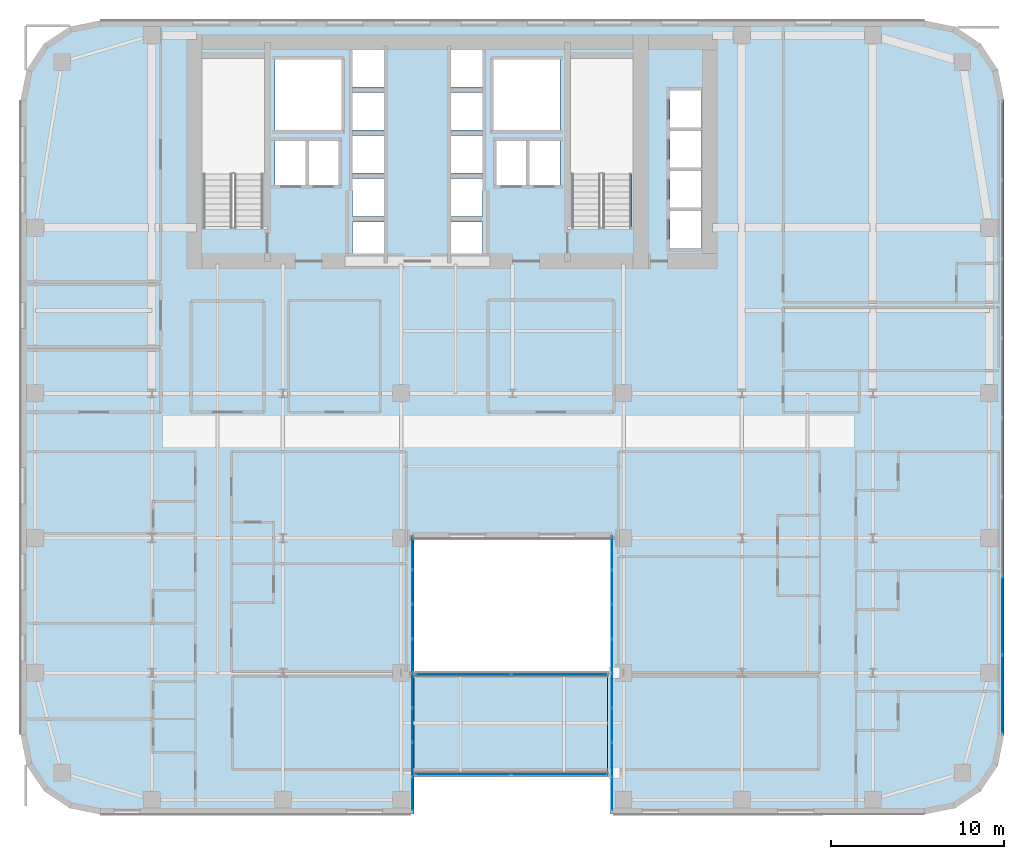
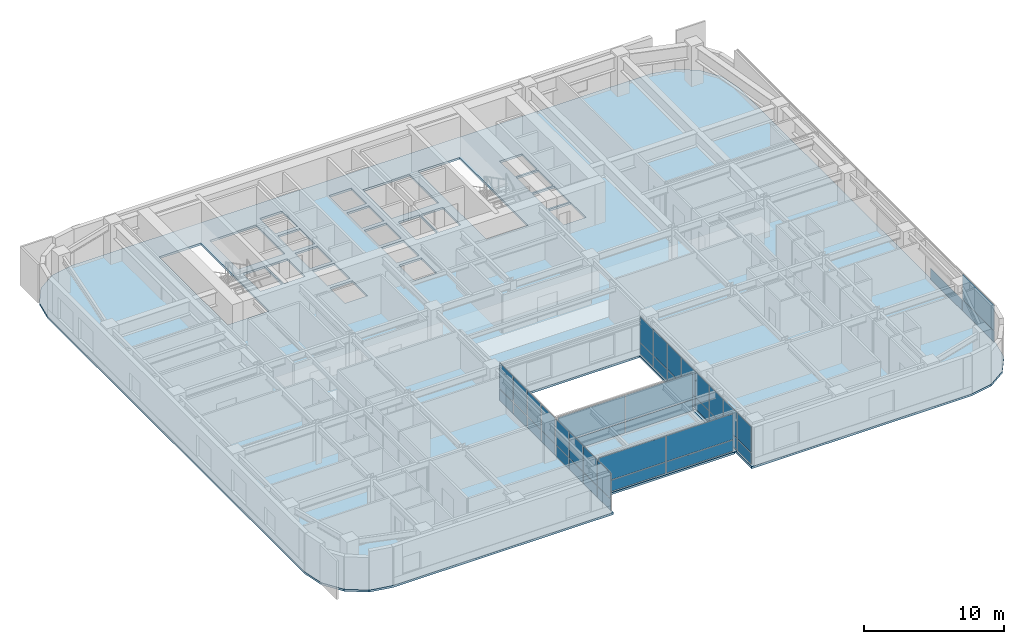
# One storey, part 18 of 31: 44 plates, 2 slabs, 5 elements without a shape of their own.
"""IFC4 building model written with IfcOpenShell, lengths in metres."""

from ifc_helpers import new_model, si_unit, direction, frame, origin, origin_2d, place, context, subcontext, project, spatial, polyline, rectangle, outline, extrude, source, transform, mapped, material, layer, layer_set, type_object, type_shapes, element, aggregate, save


model = new_model("IFC4")

# Units and contexts
model_context = context("Model", 3, precision=1e-05, world=origin(), true_north=direction((0.0, 1.0)))
body_context = subcontext(model_context, "Body", "Model", "MODEL_VIEW")
ifc_project = project(units=[si_unit("LENGTHUNIT", "METRE"), si_unit("AREAUNIT", "SQUARE_METRE"), si_unit("VOLUMEUNIT", "CUBIC_METRE"), si_unit("PLANEANGLEUNIT", "RADIAN"), si_unit("MASSUNIT", "GRAM", prefix="KILO")], contexts=[model_context])

# Site, building, storey
site_placement = place(None, origin())
site = spatial("IfcSite", under=ifc_project, at=site_placement, CompositionType="ELEMENT")
building_placement = place(site_placement, origin())
building = spatial("IfcBuilding", under=site, at=building_placement, Name="Tolvann Quenvar Hotel", CompositionType="ELEMENT")
storey_placement = place(building_placement, frame((0.0, 0.0, 74.60009765625)))
storey = spatial("IfcBuildingStorey", under=building, at=storey_placement, Name="L18", CompositionType="ELEMENT", Elevation=74.60009765625)

# Slabs
ifc_material_1 = material(Name="Concrete N40 (40 MPa)", Category="concrete")
ifc_layer_1 = layer(ifc_material_1, 0.179931640625)
ifc_layer_set_1 = layer_set([ifc_layer_1], Name="Concrete N40 (40 MPa)")
slab_type = type_object("IfcSlabType", Name="SLAB_TWR_180", PredefinedType="FLOOR", material=ifc_layer_set_1)
slab_1_placement = place(storey_placement, frame((0.0, 0.0, -0.18017578125)))
element("IfcSlab", 1, at=slab_1_placement, inside=storey, type_object=slab_type, Name="Level L18 Structural Floor Slab", PredefinedType="FLOOR", context=body_context, shape_type="SweptSolid", body=[
    extrude(outline(polyline([(0.0, 4.60009765625), (0.35009765625, 2.839599609375), (1.347412109375, 1.347412109375), (2.839599609375, 0.35009765625), (4.60009765625, 0.0), (22.800048828125, 0.0), (22.800048828125, 16.0), (34.199951171875, 16.0), (34.199951171875, 0.0), (52.39990234375, 0.0), (54.160400390625, 0.35009765625), (55.652587890625, 1.347412109375), (56.64990234375, 2.839599609375), (57.0, 4.60009765625), (57.0, 41.39990234375), (56.64990234375, 43.160400390625), (55.652587890625, 44.652587890625), (54.160400390625, 45.64990234375), (52.39990234375, 46.0), (4.60009765625, 46.0), (2.839599609375, 45.64990234375), (1.347412109375, 44.652587890625), (0.35009765625, 43.160400390625), (0.0, 41.39990234375), (0.0, 4.60009765625)]), holes=[polyline([(37.6298828125, 41.949951171875), (39.469970703125, 41.949951171875), (39.469970703125, 39.77001953125), (37.6298828125, 39.77001953125), (37.6298828125, 41.949951171875)]), polyline([(37.6298828125, 39.6298828125), (39.469970703125, 39.6298828125), (39.469970703125, 37.449951171875), (37.6298828125, 37.449951171875), (37.6298828125, 39.6298828125)]), polyline([(37.6298828125, 37.31005859375), (39.469970703125, 37.31005859375), (39.469970703125, 35.1298828125), (37.6298828125, 35.1298828125), (37.6298828125, 37.31005859375)]), polyline([(37.6298828125, 34.989990234375), (39.469970703125, 34.989990234375), (39.469970703125, 32.81005859375), (37.6298828125, 32.81005859375), (37.6298828125, 34.989990234375)]), polyline([(31.949951171875, 43.800048828125), (35.39990234375, 43.800048828125), (35.39990234375, 34.02490234375), (31.949951171875, 34.02490234375), (31.949951171875, 43.800048828125)]), polyline([(31.25, 39.02001953125), (31.25, 36.47998046875), (29.449951171875, 36.47998046875), (29.449951171875, 39.02001953125), (31.25, 39.02001953125)]), polyline([(31.25, 43.75), (31.25, 39.64990234375), (27.39990234375, 39.64990234375), (27.39990234375, 43.75), (31.25, 43.75)]), polyline([(27.574951171875, 39.02001953125), (29.324951171875, 39.02001953125), (29.324951171875, 36.47998046875), (27.574951171875, 36.47998046875), (27.574951171875, 39.02001953125)]), polyline([(26.77001953125, 36.840087890625), (26.77001953125, 34.659912109375), (24.929931640625, 34.659912109375), (24.929931640625, 36.840087890625), (26.77001953125, 36.840087890625)]), polyline([(26.77001953125, 44.340087890625), (26.77001953125, 42.159912109375), (24.929931640625, 42.159912109375), (24.929931640625, 44.340087890625), (26.77001953125, 44.340087890625)]), polyline([(26.77001953125, 41.840087890625), (26.77001953125, 39.659912109375), (24.929931640625, 39.659912109375), (24.929931640625, 41.840087890625), (26.77001953125, 41.840087890625)]), polyline([(26.77001953125, 39.340087890625), (26.77001953125, 37.159912109375), (24.929931640625, 37.159912109375), (24.929931640625, 39.340087890625), (26.77001953125, 39.340087890625)]), polyline([(24.929931640625, 34.340087890625), (26.77001953125, 34.340087890625), (26.77001953125, 32.159912109375), (24.929931640625, 32.159912109375), (24.929931640625, 34.340087890625)]), polyline([(21.070068359375, 44.340087890625), (21.070068359375, 42.159912109375), (19.22998046875, 42.159912109375), (19.22998046875, 44.340087890625), (21.070068359375, 44.340087890625)]), polyline([(19.22998046875, 41.840087890625), (21.070068359375, 41.840087890625), (21.070068359375, 39.659912109375), (19.22998046875, 39.659912109375), (19.22998046875, 41.840087890625)]), polyline([(21.070068359375, 39.340087890625), (21.070068359375, 37.159912109375), (19.22998046875, 37.159912109375), (19.22998046875, 39.340087890625), (21.070068359375, 39.340087890625)]), polyline([(19.22998046875, 36.840087890625), (21.070068359375, 36.840087890625), (21.070068359375, 34.659912109375), (19.22998046875, 34.659912109375), (19.22998046875, 36.840087890625)]), polyline([(19.22998046875, 34.340087890625), (21.070068359375, 34.340087890625), (21.070068359375, 32.159912109375), (19.22998046875, 32.159912109375), (19.22998046875, 34.340087890625)]), polyline([(18.60009765625, 43.75), (18.60009765625, 39.64990234375), (14.75, 39.64990234375), (14.75, 43.75), (18.60009765625, 43.75)]), polyline([(16.675048828125, 39.02001953125), (18.425048828125, 39.02001953125), (18.425048828125, 36.47998046875), (16.675048828125, 36.47998046875), (16.675048828125, 39.02001953125)]), polyline([(16.550048828125, 39.02001953125), (16.550048828125, 36.47998046875), (14.75, 36.47998046875), (14.75, 39.02001953125), (16.550048828125, 39.02001953125)]), polyline([(10.60009765625, 43.800048828125), (14.050048828125, 43.800048828125), (14.050048828125, 34.02490234375), (10.60009765625, 34.02490234375), (10.60009765625, 43.800048828125)])]), origin(), (0.0, 0.0, 1.0), 0.18017578125),
])
slab_2_placement = place(storey_placement, frame((0.0, 0.0, -0.18017578125)))
element("IfcSlab", 2, at=slab_2_placement, inside=storey, type_object=slab_type, Name="Level L18 Skybridge Deck Slab", PredefinedType="FLOOR", context=body_context, shape_type="SweptSolid", body=[
    extrude(outline(polyline([(22.800048828125, 2.199951171875), (34.080078125, 2.199951171875), (34.080078125, 8.199951171875), (22.800048828125, 8.199951171875), (22.800048828125, 2.199951171875)])), origin(), (0.0, 0.0, 1.0), 0.18017578125),
])

# Plate
ifc_material_2 = material(Name="Steel Grade 350", Category="steel")
ifc_layer_2 = layer(ifc_material_2, 0.02490234375)
ifc_layer_set_2 = layer_set([ifc_layer_2], Name="Steel Grade 350")
plate_type_1 = type_object("IfcPlateType", Name="PLT_MJ_6000", PredefinedType="SHEET", material=ifc_layer_set_2)
shared_shape_1 = source(origin(), body_context, "Body", "SweptSolid", [
    extrude(rectangle(XDim=0.239990234375, YDim=6.0, at=origin_2d()), origin(), (0.0, 0.0, 1.0), 0.02490234375),
])
type_shapes(plate_type_1, [shared_shape_1])
plate_1_placement = place(storey_placement, frame((34.139892578125, 5.199951171875, -0.025146484375), z_axis=(0.0, 0.0, 1.0), x_axis=(1.0, 0.0, 0.0)))
element("IfcPlate", 3, at=plate_1_placement, inside=storey, type_object=plate_type_1, Name="Skybridge Seismic Movement Joint Cover Plate (L18)", PredefinedType="SHEET", context=body_context, shape_type="MappedRepresentation", body=[
    mapped(shared_shape_1, transform((0.0, 0.0, 0.0), x_axis=(1.0, 0.0, 0.0), y_axis=(0.0, 1.0, 0.0), z_axis=(0.0, 0.0, 1.0), scale=1.0)),
])

# Curtain wall, plates
ifc_material_3 = material(Name="Thermally broken anodised architectural aluminium 6063-T6 and laminated low-E glass", Category="aluminium")
ifc_layer_3 = layer(ifc_material_3, 0.179931640625)
ifc_layer_set_3 = layer_set([ifc_layer_3], Name="Thermally broken anodised architectural aluminium 6063-T6 and laminated low-E glass")
curtain_wall_type_1 = type_object("IfcCurtainWallType", Name="CW_SYS_SLOT_03", PredefinedType="USERDEFINED", material=ifc_layer_set_3)
curtain_wall_1_placement = place(storey_placement, origin())
curtain_wall_1 = element("IfcCurtainWall", 4, at=curtain_wall_1_placement, inside=storey, type_object=curtain_wall_type_1, Name="Curtain Wall CW-SLOT-03 (CWR-L18-E05)", ObjectType="UNITISED CURTAIN WALL", PredefinedType="USERDEFINED")
ifc_material_4 = material(Name="Low-iron laminated double glazing with solar-control coating", Category="glass")
ifc_layer_4 = layer(ifc_material_4, 0.028076171875)
ifc_layer_set_4 = layer_set([ifc_layer_4], Name="Low-iron laminated double glazing with solar-control coating")
plate_type_2 = type_object("IfcPlateType", Name="CW_PAN_VISION_28", PredefinedType="CURTAIN_PANEL", material=ifc_layer_set_4)
shared_shape_2 = source(origin(), body_context, "Body", "SweptSolid", [
    extrude(rectangle(XDim=1.89501953125, YDim=0.028076171875, at=origin_2d()), origin(), (0.0, 0.0, 1.0), 0.9599609375),
])
plate_2_placement = place(storey_placement, frame((22.7099609375, 1.1923828125, 0.059814453125), z_axis=(0.0, 0.0, 1.0), x_axis=(0.0, 1.0, 0.0)))
plate_2 = element("IfcPlate", 5, at=plate_2_placement, type_object=plate_type_2, Name="CW-SLOT-03 panel 1.1", PredefinedType="CURTAIN_PANEL", context=body_context, shape_type="MappedRepresentation", body=[
    mapped(shared_shape_2, transform((0.0, 0.0, 0.0), x_axis=(1.0, 0.0, 0.0), y_axis=(0.0, 1.0, 0.0), z_axis=(0.0, 0.0, 1.0), scale=1.0)),
])
plate_3_placement = place(storey_placement, frame((22.7099609375, 15.157470703125, 0.059814453125), z_axis=(0.0, 0.0, 1.0), x_axis=(0.0, 1.0, 0.0)))
plate_3 = element("IfcPlate", 6, at=plate_3_placement, type_object=plate_type_2, Name="CW-SLOT-03 panel 8.1", PredefinedType="CURTAIN_PANEL", context=body_context, shape_type="MappedRepresentation", body=[
    mapped(shared_shape_2, transform((0.0, 0.0, 0.0), x_axis=(1.0, 0.0, 0.0), y_axis=(0.0, 1.0, 0.0), z_axis=(0.0, 0.0, 1.0), scale=1.0)),
])

curtain_wall_2_placement = place(storey_placement, origin())
curtain_wall_2 = element("IfcCurtainWall", 7, at=curtain_wall_2_placement, inside=storey, type_object=curtain_wall_type_1, Name="Curtain Wall CW-SLOT-03 (CWR-L18-E07)", ObjectType="UNITISED CURTAIN WALL", PredefinedType="USERDEFINED")
plate_4_placement = place(storey_placement, frame((34.2900390625, 15.157470703125, 0.059814453125), z_axis=(0.0, 0.0, 1.0), x_axis=(0.0, -1.0, 0.0)))
plate_4 = element("IfcPlate", 8, at=plate_4_placement, type_object=plate_type_2, Name="CW-SLOT-03 panel 1.1", PredefinedType="CURTAIN_PANEL", context=body_context, shape_type="MappedRepresentation", body=[
    mapped(shared_shape_2, transform((0.0, 0.0, 0.0), x_axis=(1.0, 0.0, 0.0), y_axis=(0.0, 1.0, 0.0), z_axis=(0.0, 0.0, 1.0), scale=1.0)),
])
plate_5_placement = place(storey_placement, frame((34.2900390625, 1.1923828125, 0.059814453125), z_axis=(0.0, 0.0, 1.0), x_axis=(0.0, -1.0, 0.0)))
plate_5 = element("IfcPlate", 9, at=plate_5_placement, type_object=plate_type_2, Name="CW-SLOT-03 panel 8.1", PredefinedType="CURTAIN_PANEL", context=body_context, shape_type="MappedRepresentation", body=[
    mapped(shared_shape_2, transform((0.0, 0.0, 0.0), x_axis=(1.0, 0.0, 0.0), y_axis=(0.0, 1.0, 0.0), z_axis=(0.0, 0.0, 1.0), scale=1.0)),
])

# Plate
shared_shape_3 = source(origin(), body_context, "Body", "SweptSolid", [
    extrude(rectangle(XDim=1.89501953125, YDim=0.028076171875, at=origin_2d()), origin(), (0.0, 0.0, 1.0), 2.22998046875),
])
plate_6_placement = place(storey_placement, frame((22.7099609375, 1.1923828125, 1.079833984375), z_axis=(0.0, 0.0, 1.0), x_axis=(0.0, 1.0, 0.0)))
plate_6 = element("IfcPlate", 10, at=plate_6_placement, type_object=plate_type_2, Name="CW-SLOT-03 panel 1.2", PredefinedType="CURTAIN_PANEL", context=body_context, shape_type="MappedRepresentation", body=[
    mapped(shared_shape_3, transform((0.0, 0.0, 0.0), x_axis=(1.0, 0.0, 0.0), y_axis=(0.0, 1.0, 0.0), z_axis=(0.0, 0.0, 1.0), scale=1.0)),
])

plate_7_placement = place(storey_placement, frame((22.7099609375, 15.157470703125, 1.079833984375), z_axis=(0.0, 0.0, 1.0), x_axis=(0.0, 1.0, 0.0)))
plate_7 = element("IfcPlate", 11, at=plate_7_placement, type_object=plate_type_2, Name="CW-SLOT-03 panel 8.2", PredefinedType="CURTAIN_PANEL", context=body_context, shape_type="MappedRepresentation", body=[
    mapped(shared_shape_3, transform((0.0, 0.0, 0.0), x_axis=(1.0, 0.0, 0.0), y_axis=(0.0, 1.0, 0.0), z_axis=(0.0, 0.0, 1.0), scale=1.0)),
])

plate_8_placement = place(storey_placement, frame((34.2900390625, 15.157470703125, 1.079833984375), z_axis=(0.0, 0.0, 1.0), x_axis=(0.0, -1.0, 0.0)))
plate_8 = element("IfcPlate", 12, at=plate_8_placement, type_object=plate_type_2, Name="CW-SLOT-03 panel 1.2", PredefinedType="CURTAIN_PANEL", context=body_context, shape_type="MappedRepresentation", body=[
    mapped(shared_shape_3, transform((0.0, 0.0, 0.0), x_axis=(1.0, 0.0, 0.0), y_axis=(0.0, 1.0, 0.0), z_axis=(0.0, 0.0, 1.0), scale=1.0)),
])

plate_9_placement = place(storey_placement, frame((34.2900390625, 1.1923828125, 1.079833984375), z_axis=(0.0, 0.0, 1.0), x_axis=(0.0, -1.0, 0.0)))
plate_9 = element("IfcPlate", 13, at=plate_9_placement, type_object=plate_type_2, Name="CW-SLOT-03 panel 8.2", PredefinedType="CURTAIN_PANEL", context=body_context, shape_type="MappedRepresentation", body=[
    mapped(shared_shape_3, transform((0.0, 0.0, 0.0), x_axis=(1.0, 0.0, 0.0), y_axis=(0.0, 1.0, 0.0), z_axis=(0.0, 0.0, 1.0), scale=1.0)),
])

shared_shape_4 = source(origin(), body_context, "Body", "SweptSolid", [
    extrude(rectangle(XDim=1.929931640625, YDim=0.028076171875, at=origin_2d()), origin(), (0.0, 0.0, 1.0), 0.9599609375),
])
plate_10_placement = place(storey_placement, frame((22.7099609375, 3.175048828125, 0.059814453125), z_axis=(0.0, 0.0, 1.0), x_axis=(0.0, 1.0, 0.0)))
plate_10 = element("IfcPlate", 14, at=plate_10_placement, type_object=plate_type_2, Name="CW-SLOT-03 panel 2.1", PredefinedType="CURTAIN_PANEL", context=body_context, shape_type="MappedRepresentation", body=[
    mapped(shared_shape_4, transform((0.0, 0.0, 0.0), x_axis=(1.0, 0.0, 0.0), y_axis=(0.0, 1.0, 0.0), z_axis=(0.0, 0.0, 1.0), scale=1.0)),
])

plate_11_placement = place(storey_placement, frame((22.7099609375, 5.175048828125, 0.059814453125), z_axis=(0.0, 0.0, 1.0), x_axis=(0.0, 1.0, 0.0)))
plate_11 = element("IfcPlate", 15, at=plate_11_placement, type_object=plate_type_2, Name="CW-SLOT-03 panel 3.1", PredefinedType="CURTAIN_PANEL", context=body_context, shape_type="MappedRepresentation", body=[
    mapped(shared_shape_4, transform((0.0, 0.0, 0.0), x_axis=(1.0, 0.0, 0.0), y_axis=(0.0, 1.0, 0.0), z_axis=(0.0, 0.0, 1.0), scale=1.0)),
])

plate_12_placement = place(storey_placement, frame((22.7099609375, 7.175048828125, 0.059814453125), z_axis=(0.0, 0.0, 1.0), x_axis=(0.0, 1.0, 0.0)))
plate_12 = element("IfcPlate", 16, at=plate_12_placement, type_object=plate_type_2, Name="CW-SLOT-03 panel 4.1", PredefinedType="CURTAIN_PANEL", context=body_context, shape_type="MappedRepresentation", body=[
    mapped(shared_shape_4, transform((0.0, 0.0, 0.0), x_axis=(1.0, 0.0, 0.0), y_axis=(0.0, 1.0, 0.0), z_axis=(0.0, 0.0, 1.0), scale=1.0)),
])

plate_13_placement = place(storey_placement, frame((22.7099609375, 9.175048828125, 0.059814453125), z_axis=(0.0, 0.0, 1.0), x_axis=(0.0, 1.0, 0.0)))
plate_13 = element("IfcPlate", 17, at=plate_13_placement, type_object=plate_type_2, Name="CW-SLOT-03 panel 5.1", PredefinedType="CURTAIN_PANEL", context=body_context, shape_type="MappedRepresentation", body=[
    mapped(shared_shape_4, transform((0.0, 0.0, 0.0), x_axis=(1.0, 0.0, 0.0), y_axis=(0.0, 1.0, 0.0), z_axis=(0.0, 0.0, 1.0), scale=1.0)),
])

plate_14_placement = place(storey_placement, frame((22.7099609375, 11.175048828125, 0.059814453125), z_axis=(0.0, 0.0, 1.0), x_axis=(0.0, 1.0, 0.0)))
plate_14 = element("IfcPlate", 18, at=plate_14_placement, type_object=plate_type_2, Name="CW-SLOT-03 panel 6.1", PredefinedType="CURTAIN_PANEL", context=body_context, shape_type="MappedRepresentation", body=[
    mapped(shared_shape_4, transform((0.0, 0.0, 0.0), x_axis=(1.0, 0.0, 0.0), y_axis=(0.0, 1.0, 0.0), z_axis=(0.0, 0.0, 1.0), scale=1.0)),
])

plate_15_placement = place(storey_placement, frame((22.7099609375, 13.175048828125, 0.059814453125), z_axis=(0.0, 0.0, 1.0), x_axis=(0.0, 1.0, 0.0)))
plate_15 = element("IfcPlate", 19, at=plate_15_placement, type_object=plate_type_2, Name="CW-SLOT-03 panel 7.1", PredefinedType="CURTAIN_PANEL", context=body_context, shape_type="MappedRepresentation", body=[
    mapped(shared_shape_4, transform((0.0, 0.0, 0.0), x_axis=(1.0, 0.0, 0.0), y_axis=(0.0, 1.0, 0.0), z_axis=(0.0, 0.0, 1.0), scale=1.0)),
])

plate_16_placement = place(storey_placement, frame((34.2900390625, 13.175048828125, 0.059814453125), z_axis=(0.0, 0.0, 1.0), x_axis=(0.0, -1.0, 0.0)))
plate_16 = element("IfcPlate", 20, at=plate_16_placement, type_object=plate_type_2, Name="CW-SLOT-03 panel 2.1", PredefinedType="CURTAIN_PANEL", context=body_context, shape_type="MappedRepresentation", body=[
    mapped(shared_shape_4, transform((0.0, 0.0, 0.0), x_axis=(1.0, 0.0, 0.0), y_axis=(0.0, 1.0, 0.0), z_axis=(0.0, 0.0, 1.0), scale=1.0)),
])

plate_17_placement = place(storey_placement, frame((34.2900390625, 11.175048828125, 0.059814453125), z_axis=(0.0, 0.0, 1.0), x_axis=(0.0, -1.0, 0.0)))
plate_17 = element("IfcPlate", 21, at=plate_17_placement, type_object=plate_type_2, Name="CW-SLOT-03 panel 3.1", PredefinedType="CURTAIN_PANEL", context=body_context, shape_type="MappedRepresentation", body=[
    mapped(shared_shape_4, transform((0.0, 0.0, 0.0), x_axis=(1.0, 0.0, 0.0), y_axis=(0.0, 1.0, 0.0), z_axis=(0.0, 0.0, 1.0), scale=1.0)),
])

plate_18_placement = place(storey_placement, frame((34.2900390625, 9.175048828125, 0.059814453125), z_axis=(0.0, 0.0, 1.0), x_axis=(0.0, -1.0, 0.0)))
plate_18 = element("IfcPlate", 22, at=plate_18_placement, type_object=plate_type_2, Name="CW-SLOT-03 panel 4.1", PredefinedType="CURTAIN_PANEL", context=body_context, shape_type="MappedRepresentation", body=[
    mapped(shared_shape_4, transform((0.0, 0.0, 0.0), x_axis=(1.0, 0.0, 0.0), y_axis=(0.0, 1.0, 0.0), z_axis=(0.0, 0.0, 1.0), scale=1.0)),
])

plate_19_placement = place(storey_placement, frame((34.2900390625, 7.175048828125, 0.059814453125), z_axis=(0.0, 0.0, 1.0), x_axis=(0.0, -1.0, 0.0)))
plate_19 = element("IfcPlate", 23, at=plate_19_placement, type_object=plate_type_2, Name="CW-SLOT-03 panel 5.1", PredefinedType="CURTAIN_PANEL", context=body_context, shape_type="MappedRepresentation", body=[
    mapped(shared_shape_4, transform((0.0, 0.0, 0.0), x_axis=(1.0, 0.0, 0.0), y_axis=(0.0, 1.0, 0.0), z_axis=(0.0, 0.0, 1.0), scale=1.0)),
])

plate_20_placement = place(storey_placement, frame((34.2900390625, 5.175048828125, 0.059814453125), z_axis=(0.0, 0.0, 1.0), x_axis=(0.0, -1.0, 0.0)))
plate_20 = element("IfcPlate", 24, at=plate_20_placement, type_object=plate_type_2, Name="CW-SLOT-03 panel 6.1", PredefinedType="CURTAIN_PANEL", context=body_context, shape_type="MappedRepresentation", body=[
    mapped(shared_shape_4, transform((0.0, 0.0, 0.0), x_axis=(1.0, 0.0, 0.0), y_axis=(0.0, 1.0, 0.0), z_axis=(0.0, 0.0, 1.0), scale=1.0)),
])

plate_21_placement = place(storey_placement, frame((34.2900390625, 3.175048828125, 0.059814453125), z_axis=(0.0, 0.0, 1.0), x_axis=(0.0, -1.0, 0.0)))
plate_21 = element("IfcPlate", 25, at=plate_21_placement, type_object=plate_type_2, Name="CW-SLOT-03 panel 7.1", PredefinedType="CURTAIN_PANEL", context=body_context, shape_type="MappedRepresentation", body=[
    mapped(shared_shape_4, transform((0.0, 0.0, 0.0), x_axis=(1.0, 0.0, 0.0), y_axis=(0.0, 1.0, 0.0), z_axis=(0.0, 0.0, 1.0), scale=1.0)),
])

shared_shape_5 = source(origin(), body_context, "Body", "SweptSolid", [
    extrude(rectangle(XDim=1.929931640625, YDim=0.028076171875, at=origin_2d()), origin(), (0.0, 0.0, 1.0), 2.22998046875),
])
plate_22_placement = place(storey_placement, frame((22.7099609375, 3.175048828125, 1.079833984375), z_axis=(0.0, 0.0, 1.0), x_axis=(0.0, 1.0, 0.0)))
plate_22 = element("IfcPlate", 26, at=plate_22_placement, type_object=plate_type_2, Name="CW-SLOT-03 panel 2.2", PredefinedType="CURTAIN_PANEL", context=body_context, shape_type="MappedRepresentation", body=[
    mapped(shared_shape_5, transform((0.0, 0.0, 0.0), x_axis=(1.0, 0.0, 0.0), y_axis=(0.0, 1.0, 0.0), z_axis=(0.0, 0.0, 1.0), scale=1.0)),
])

plate_23_placement = place(storey_placement, frame((22.7099609375, 5.175048828125, 1.079833984375), z_axis=(0.0, 0.0, 1.0), x_axis=(0.0, 1.0, 0.0)))
plate_23 = element("IfcPlate", 27, at=plate_23_placement, type_object=plate_type_2, Name="CW-SLOT-03 panel 3.2", PredefinedType="CURTAIN_PANEL", context=body_context, shape_type="MappedRepresentation", body=[
    mapped(shared_shape_5, transform((0.0, 0.0, 0.0), x_axis=(1.0, 0.0, 0.0), y_axis=(0.0, 1.0, 0.0), z_axis=(0.0, 0.0, 1.0), scale=1.0)),
])

plate_24_placement = place(storey_placement, frame((22.7099609375, 7.175048828125, 1.079833984375), z_axis=(0.0, 0.0, 1.0), x_axis=(0.0, 1.0, 0.0)))
plate_24 = element("IfcPlate", 28, at=plate_24_placement, type_object=plate_type_2, Name="CW-SLOT-03 panel 4.2", PredefinedType="CURTAIN_PANEL", context=body_context, shape_type="MappedRepresentation", body=[
    mapped(shared_shape_5, transform((0.0, 0.0, 0.0), x_axis=(1.0, 0.0, 0.0), y_axis=(0.0, 1.0, 0.0), z_axis=(0.0, 0.0, 1.0), scale=1.0)),
])

plate_25_placement = place(storey_placement, frame((22.7099609375, 9.175048828125, 1.079833984375), z_axis=(0.0, 0.0, 1.0), x_axis=(0.0, 1.0, 0.0)))
plate_25 = element("IfcPlate", 29, at=plate_25_placement, type_object=plate_type_2, Name="CW-SLOT-03 panel 5.2", PredefinedType="CURTAIN_PANEL", context=body_context, shape_type="MappedRepresentation", body=[
    mapped(shared_shape_5, transform((0.0, 0.0, 0.0), x_axis=(1.0, 0.0, 0.0), y_axis=(0.0, 1.0, 0.0), z_axis=(0.0, 0.0, 1.0), scale=1.0)),
])

plate_26_placement = place(storey_placement, frame((22.7099609375, 11.175048828125, 1.079833984375), z_axis=(0.0, 0.0, 1.0), x_axis=(0.0, 1.0, 0.0)))
plate_26 = element("IfcPlate", 30, at=plate_26_placement, type_object=plate_type_2, Name="CW-SLOT-03 panel 6.2", PredefinedType="CURTAIN_PANEL", context=body_context, shape_type="MappedRepresentation", body=[
    mapped(shared_shape_5, transform((0.0, 0.0, 0.0), x_axis=(1.0, 0.0, 0.0), y_axis=(0.0, 1.0, 0.0), z_axis=(0.0, 0.0, 1.0), scale=1.0)),
])

plate_27_placement = place(storey_placement, frame((22.7099609375, 13.175048828125, 1.079833984375), z_axis=(0.0, 0.0, 1.0), x_axis=(0.0, 1.0, 0.0)))
plate_27 = element("IfcPlate", 31, at=plate_27_placement, type_object=plate_type_2, Name="CW-SLOT-03 panel 7.2", PredefinedType="CURTAIN_PANEL", context=body_context, shape_type="MappedRepresentation", body=[
    mapped(shared_shape_5, transform((0.0, 0.0, 0.0), x_axis=(1.0, 0.0, 0.0), y_axis=(0.0, 1.0, 0.0), z_axis=(0.0, 0.0, 1.0), scale=1.0)),
])

aggregate(curtain_wall_1, [plate_2, plate_6, plate_10, plate_22, plate_11, plate_23, plate_12, plate_24, plate_13, plate_25, plate_14, plate_26, plate_15, plate_27, plate_3, plate_7])

plate_28_placement = place(storey_placement, frame((34.2900390625, 13.175048828125, 1.079833984375), z_axis=(0.0, 0.0, 1.0), x_axis=(0.0, -1.0, 0.0)))
plate_28 = element("IfcPlate", 32, at=plate_28_placement, type_object=plate_type_2, Name="CW-SLOT-03 panel 2.2", PredefinedType="CURTAIN_PANEL", context=body_context, shape_type="MappedRepresentation", body=[
    mapped(shared_shape_5, transform((0.0, 0.0, 0.0), x_axis=(1.0, 0.0, 0.0), y_axis=(0.0, 1.0, 0.0), z_axis=(0.0, 0.0, 1.0), scale=1.0)),
])

plate_29_placement = place(storey_placement, frame((34.2900390625, 11.175048828125, 1.079833984375), z_axis=(0.0, 0.0, 1.0), x_axis=(0.0, -1.0, 0.0)))
plate_29 = element("IfcPlate", 33, at=plate_29_placement, type_object=plate_type_2, Name="CW-SLOT-03 panel 3.2", PredefinedType="CURTAIN_PANEL", context=body_context, shape_type="MappedRepresentation", body=[
    mapped(shared_shape_5, transform((0.0, 0.0, 0.0), x_axis=(1.0, 0.0, 0.0), y_axis=(0.0, 1.0, 0.0), z_axis=(0.0, 0.0, 1.0), scale=1.0)),
])

plate_30_placement = place(storey_placement, frame((34.2900390625, 9.175048828125, 1.079833984375), z_axis=(0.0, 0.0, 1.0), x_axis=(0.0, -1.0, 0.0)))
plate_30 = element("IfcPlate", 34, at=plate_30_placement, type_object=plate_type_2, Name="CW-SLOT-03 panel 4.2", PredefinedType="CURTAIN_PANEL", context=body_context, shape_type="MappedRepresentation", body=[
    mapped(shared_shape_5, transform((0.0, 0.0, 0.0), x_axis=(1.0, 0.0, 0.0), y_axis=(0.0, 1.0, 0.0), z_axis=(0.0, 0.0, 1.0), scale=1.0)),
])

plate_31_placement = place(storey_placement, frame((34.2900390625, 7.175048828125, 1.079833984375), z_axis=(0.0, 0.0, 1.0), x_axis=(0.0, -1.0, 0.0)))
plate_31 = element("IfcPlate", 35, at=plate_31_placement, type_object=plate_type_2, Name="CW-SLOT-03 panel 5.2", PredefinedType="CURTAIN_PANEL", context=body_context, shape_type="MappedRepresentation", body=[
    mapped(shared_shape_5, transform((0.0, 0.0, 0.0), x_axis=(1.0, 0.0, 0.0), y_axis=(0.0, 1.0, 0.0), z_axis=(0.0, 0.0, 1.0), scale=1.0)),
])

plate_32_placement = place(storey_placement, frame((34.2900390625, 5.175048828125, 1.079833984375), z_axis=(0.0, 0.0, 1.0), x_axis=(0.0, -1.0, 0.0)))
plate_32 = element("IfcPlate", 36, at=plate_32_placement, type_object=plate_type_2, Name="CW-SLOT-03 panel 6.2", PredefinedType="CURTAIN_PANEL", context=body_context, shape_type="MappedRepresentation", body=[
    mapped(shared_shape_5, transform((0.0, 0.0, 0.0), x_axis=(1.0, 0.0, 0.0), y_axis=(0.0, 1.0, 0.0), z_axis=(0.0, 0.0, 1.0), scale=1.0)),
])

plate_33_placement = place(storey_placement, frame((34.2900390625, 3.175048828125, 1.079833984375), z_axis=(0.0, 0.0, 1.0), x_axis=(0.0, -1.0, 0.0)))
plate_33 = element("IfcPlate", 37, at=plate_33_placement, type_object=plate_type_2, Name="CW-SLOT-03 panel 7.2", PredefinedType="CURTAIN_PANEL", context=body_context, shape_type="MappedRepresentation", body=[
    mapped(shared_shape_5, transform((0.0, 0.0, 0.0), x_axis=(1.0, 0.0, 0.0), y_axis=(0.0, 1.0, 0.0), z_axis=(0.0, 0.0, 1.0), scale=1.0)),
])

aggregate(curtain_wall_2, [plate_4, plate_8, plate_16, plate_28, plate_17, plate_29, plate_18, plate_30, plate_19, plate_31, plate_20, plate_32, plate_21, plate_33, plate_5, plate_9])

# Curtain wall, plates
ifc_layer_5 = layer(ifc_material_3, 0.179931640625)
ifc_layer_set_5 = layer_set([ifc_layer_5], Name="Thermally broken anodised architectural aluminium 6063-T6 and laminated low-E glass")
curtain_wall_type_2 = type_object("IfcCurtainWallType", Name="CW_SYS_BAND_04", PredefinedType="USERDEFINED", material=ifc_layer_set_5)
curtain_wall_3_placement = place(storey_placement, origin())
curtain_wall_3 = element("IfcCurtainWall", 38, at=curtain_wall_3_placement, inside=storey, type_object=curtain_wall_type_2, Name="Curtain Wall CW-BAND-04 (CWR-L18-E13)", ObjectType="UNITISED CURTAIN WALL", PredefinedType="USERDEFINED")
shared_shape_6 = source(origin(), body_context, "Body", "SweptSolid", [
    extrude(rectangle(XDim=4.49072265625, YDim=0.028076171875, at=origin_2d()), origin(), (0.0, 0.0, 1.0), 0.9599609375),
])
plate_34_placement = place(storey_placement, frame((56.909912109375, 6.9326171875, 0.059814453125), z_axis=(0.0, 0.0, 1.0), x_axis=(0.0, 1.0, 0.0)))
plate_34 = element("IfcPlate", 39, at=plate_34_placement, type_object=plate_type_2, Name="CW-BAND-04 panel 1.1", PredefinedType="CURTAIN_PANEL", context=body_context, shape_type="MappedRepresentation", body=[
    mapped(shared_shape_6, transform((0.0, 0.0, 0.0), x_axis=(1.0, 0.0, 0.0), y_axis=(0.0, 1.0, 0.0), z_axis=(0.0, 0.0, 1.0), scale=1.0)),
])
shared_shape_7 = source(origin(), body_context, "Body", "SweptSolid", [
    extrude(rectangle(XDim=4.49072265625, YDim=0.028076171875, at=origin_2d()), origin(), (0.0, 0.0, 1.0), 2.22998046875),
])
plate_35_placement = place(storey_placement, frame((56.909912109375, 6.9326171875, 1.079833984375), z_axis=(0.0, 0.0, 1.0), x_axis=(0.0, 1.0, 0.0)))
plate_35 = element("IfcPlate", 40, at=plate_35_placement, type_object=plate_type_2, Name="CW-BAND-04 panel 1.2", PredefinedType="CURTAIN_PANEL", context=body_context, shape_type="MappedRepresentation", body=[
    mapped(shared_shape_7, transform((0.0, 0.0, 0.0), x_axis=(1.0, 0.0, 0.0), y_axis=(0.0, 1.0, 0.0), z_axis=(0.0, 0.0, 1.0), scale=1.0)),
])
shared_shape_8 = source(origin(), body_context, "Body", "SweptSolid", [
    extrude(rectangle(XDim=4.525634765625, YDim=0.028076171875, at=origin_2d()), origin(), (0.0, 0.0, 1.0), 0.9599609375),
])
plate_36_placement = place(storey_placement, frame((56.909912109375, 11.5107421875, 0.059814453125), z_axis=(0.0, 0.0, 1.0), x_axis=(0.0, 1.0, 0.0)))
plate_36 = element("IfcPlate", 41, at=plate_36_placement, type_object=plate_type_2, Name="CW-BAND-04 panel 2.1", PredefinedType="CURTAIN_PANEL", context=body_context, shape_type="MappedRepresentation", body=[
    mapped(shared_shape_8, transform((0.0, 0.0, 0.0), x_axis=(1.0, 0.0, 0.0), y_axis=(0.0, 1.0, 0.0), z_axis=(0.0, 0.0, 1.0), scale=1.0)),
])
aggregate(curtain_wall_3, [plate_34, plate_35, plate_36])

curtain_wall_4_placement = place(storey_placement, origin())
curtain_wall_4 = element("IfcCurtainWall", 42, at=curtain_wall_4_placement, inside=storey, type_object=curtain_wall_type_1, Name="Curtain Wall CW-SLOT-03 (CWR-BRG-L18-S)", ObjectType="UNITISED CURTAIN WALL", PredefinedType="USERDEFINED")
shared_shape_9 = source(origin(), body_context, "Body", "SweptSolid", [
    extrude(rectangle(XDim=5.514892578125, YDim=0.028076171875, at=origin_2d()), origin(), (0.0, 0.0, 1.0), 0.9599609375),
])
plate_37_placement = place(storey_placement, frame((25.6474609375, 2.2900390625, 0.059814453125), z_axis=(0.0, 0.0, 1.0), x_axis=(1.0, 0.0, 0.0)))
plate_37 = element("IfcPlate", 43, at=plate_37_placement, type_object=plate_type_2, Name="CW-SLOT-03 panel 1.1", PredefinedType="CURTAIN_PANEL", context=body_context, shape_type="MappedRepresentation", body=[
    mapped(shared_shape_9, transform((0.0, 0.0, 0.0), x_axis=(1.0, 0.0, 0.0), y_axis=(0.0, 1.0, 0.0), z_axis=(0.0, 0.0, 1.0), scale=1.0)),
])
plate_38_placement = place(storey_placement, frame((31.232421875, 2.2900390625, 0.059814453125), z_axis=(0.0, 0.0, 1.0), x_axis=(1.0, 0.0, 0.0)))
plate_38 = element("IfcPlate", 44, at=plate_38_placement, type_object=plate_type_2, Name="CW-SLOT-03 panel 2.1", PredefinedType="CURTAIN_PANEL", context=body_context, shape_type="MappedRepresentation", body=[
    mapped(shared_shape_9, transform((0.0, 0.0, 0.0), x_axis=(1.0, 0.0, 0.0), y_axis=(0.0, 1.0, 0.0), z_axis=(0.0, 0.0, 1.0), scale=1.0)),
])

curtain_wall_5_placement = place(storey_placement, origin())
curtain_wall_5 = element("IfcCurtainWall", 45, at=curtain_wall_5_placement, inside=storey, type_object=curtain_wall_type_1, Name="Curtain Wall CW-SLOT-03 (CWR-BRG-L18-N)", ObjectType="UNITISED CURTAIN WALL", PredefinedType="USERDEFINED")
plate_39_placement = place(storey_placement, frame((31.232421875, 8.110107421875, 0.059814453125), z_axis=(0.0, 0.0, 1.0), x_axis=(-1.0, 0.0, 0.0)))
plate_39 = element("IfcPlate", 46, at=plate_39_placement, type_object=plate_type_2, Name="CW-SLOT-03 panel 1.1", PredefinedType="CURTAIN_PANEL", context=body_context, shape_type="MappedRepresentation", body=[
    mapped(shared_shape_9, transform((0.0, 0.0, 0.0), x_axis=(1.0, 0.0, 0.0), y_axis=(0.0, 1.0, 0.0), z_axis=(0.0, 0.0, 1.0), scale=1.0)),
])
plate_40_placement = place(storey_placement, frame((25.6474609375, 8.110107421875, 0.059814453125), z_axis=(0.0, 0.0, 1.0), x_axis=(-1.0, 0.0, 0.0)))
plate_40 = element("IfcPlate", 47, at=plate_40_placement, type_object=plate_type_2, Name="CW-SLOT-03 panel 2.1", PredefinedType="CURTAIN_PANEL", context=body_context, shape_type="MappedRepresentation", body=[
    mapped(shared_shape_9, transform((0.0, 0.0, 0.0), x_axis=(1.0, 0.0, 0.0), y_axis=(0.0, 1.0, 0.0), z_axis=(0.0, 0.0, 1.0), scale=1.0)),
])

# Plate
shared_shape_10 = source(origin(), body_context, "Body", "SweptSolid", [
    extrude(rectangle(XDim=5.514892578125, YDim=0.028076171875, at=origin_2d()), origin(), (0.0, 0.0, 1.0), 2.22998046875),
])
type_shapes(plate_type_2, [shared_shape_2, shared_shape_3, shared_shape_4, shared_shape_5, shared_shape_6, shared_shape_7, shared_shape_8, shared_shape_9, shared_shape_10])
plate_41_placement = place(storey_placement, frame((25.6474609375, 2.2900390625, 1.079833984375), z_axis=(0.0, 0.0, 1.0), x_axis=(1.0, 0.0, 0.0)))
plate_41 = element("IfcPlate", 48, at=plate_41_placement, type_object=plate_type_2, Name="CW-SLOT-03 panel 1.2", PredefinedType="CURTAIN_PANEL", context=body_context, shape_type="MappedRepresentation", body=[
    mapped(shared_shape_10, transform((0.0, 0.0, 0.0), x_axis=(1.0, 0.0, 0.0), y_axis=(0.0, 1.0, 0.0), z_axis=(0.0, 0.0, 1.0), scale=1.0)),
])

plate_42_placement = place(storey_placement, frame((31.232421875, 2.2900390625, 1.079833984375), z_axis=(0.0, 0.0, 1.0), x_axis=(1.0, 0.0, 0.0)))
plate_42 = element("IfcPlate", 49, at=plate_42_placement, type_object=plate_type_2, Name="CW-SLOT-03 panel 2.2", PredefinedType="CURTAIN_PANEL", context=body_context, shape_type="MappedRepresentation", body=[
    mapped(shared_shape_10, transform((0.0, 0.0, 0.0), x_axis=(1.0, 0.0, 0.0), y_axis=(0.0, 1.0, 0.0), z_axis=(0.0, 0.0, 1.0), scale=1.0)),
])

aggregate(curtain_wall_4, [plate_37, plate_41, plate_38, plate_42])

plate_43_placement = place(storey_placement, frame((31.232421875, 8.110107421875, 1.079833984375), z_axis=(0.0, 0.0, 1.0), x_axis=(-1.0, 0.0, 0.0)))
plate_43 = element("IfcPlate", 50, at=plate_43_placement, type_object=plate_type_2, Name="CW-SLOT-03 panel 1.2", PredefinedType="CURTAIN_PANEL", context=body_context, shape_type="MappedRepresentation", body=[
    mapped(shared_shape_10, transform((0.0, 0.0, 0.0), x_axis=(1.0, 0.0, 0.0), y_axis=(0.0, 1.0, 0.0), z_axis=(0.0, 0.0, 1.0), scale=1.0)),
])

plate_44_placement = place(storey_placement, frame((25.6474609375, 8.110107421875, 1.079833984375), z_axis=(0.0, 0.0, 1.0), x_axis=(-1.0, 0.0, 0.0)))
plate_44 = element("IfcPlate", 51, at=plate_44_placement, type_object=plate_type_2, Name="CW-SLOT-03 panel 2.2", PredefinedType="CURTAIN_PANEL", context=body_context, shape_type="MappedRepresentation", body=[
    mapped(shared_shape_10, transform((0.0, 0.0, 0.0), x_axis=(1.0, 0.0, 0.0), y_axis=(0.0, 1.0, 0.0), z_axis=(0.0, 0.0, 1.0), scale=1.0)),
])

aggregate(curtain_wall_5, [plate_39, plate_43, plate_40, plate_44])

save(model, "model.ifc")
